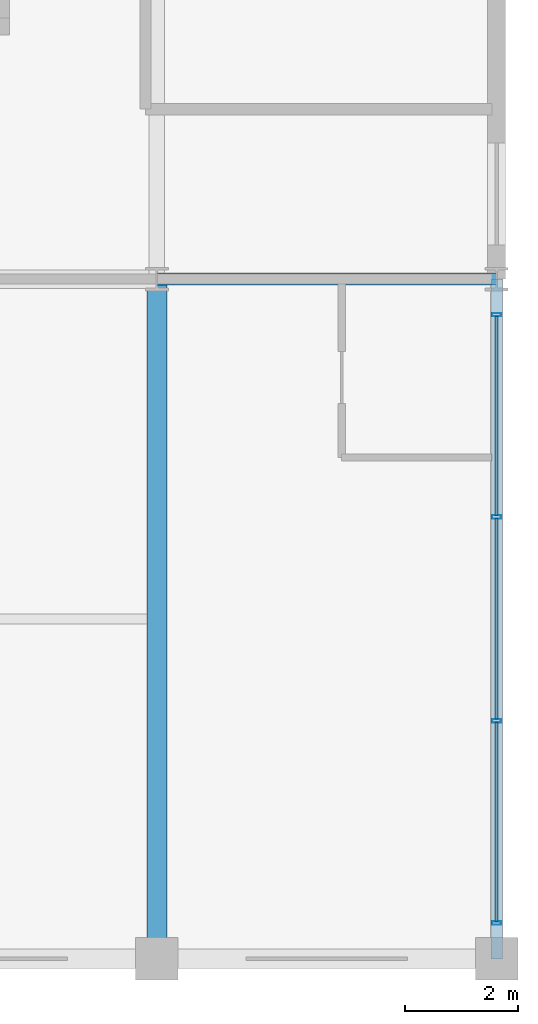
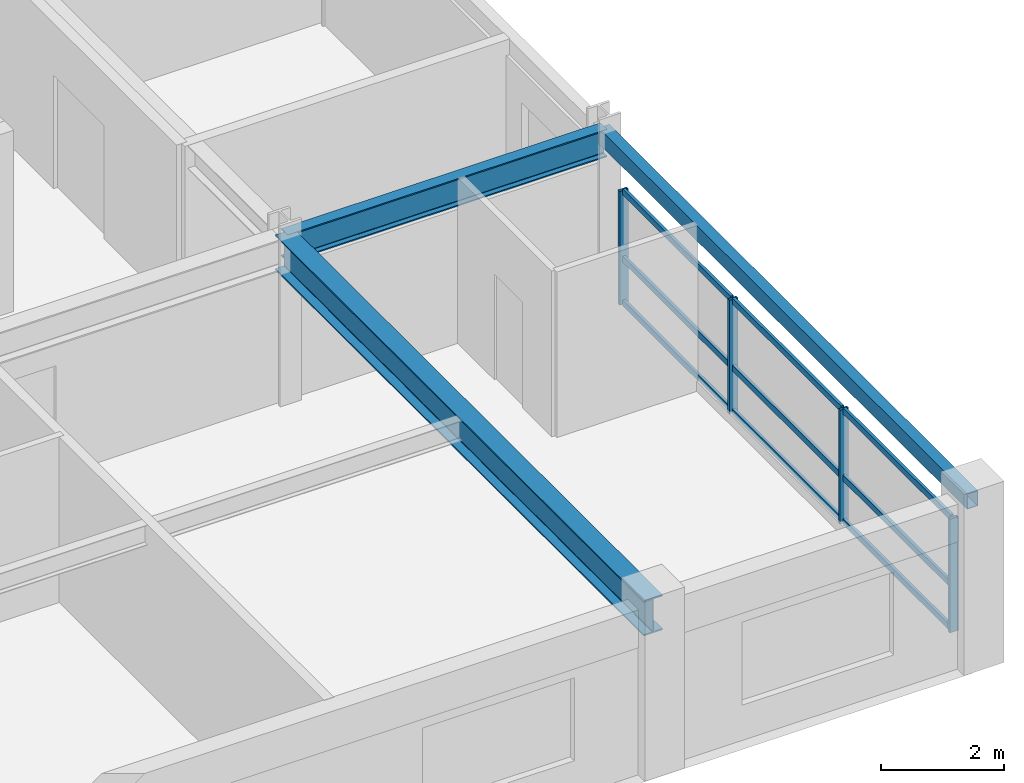
# One storey, part 9 of 20: 13 members, 3 beams, 1 element without a shape of its own.
"""IFC4 building model written with IfcOpenShell, lengths in metres."""

from ifc_helpers import new_model, si_unit, direction, frame, origin, origin_2d, place, context, subcontext, project, spatial, hollow_rectangle, i_section, extrude, material, material_profile, profile_set, type_object, element, aggregate, save


model = new_model("IFC4")

# Units and contexts
model_context = context("Model", 3, precision=1e-05, world=origin(), true_north=direction((0.0, 1.0)))
body_context = subcontext(model_context, "Body", "Model", "MODEL_VIEW")
ifc_project = project(units=[si_unit("LENGTHUNIT", "METRE"), si_unit("AREAUNIT", "SQUARE_METRE"), si_unit("VOLUMEUNIT", "CUBIC_METRE"), si_unit("PLANEANGLEUNIT", "RADIAN"), si_unit("MASSUNIT", "GRAM", prefix="KILO")], contexts=[model_context])

# Site, building, storey
site_placement = place(None, origin())
site = spatial("IfcSite", under=ifc_project, at=site_placement, CompositionType="ELEMENT")
building_placement = place(site_placement, origin())
building = spatial("IfcBuilding", under=site, at=building_placement, Name="Kaldorvane Square Convention Centre", CompositionType="ELEMENT")
storey_placement = place(building_placement, frame((0.0, 0.0, 56.399993896484375)))
storey = spatial("IfcBuildingStorey", under=building, at=storey_placement, Name="L13", CompositionType="ELEMENT", Elevation=56.399993896484375)

# Beams
ifc_material_1 = material(Name="Steel ASTM A992 Gr. 50", Category="steel")
ifc_material_profile_1 = material_profile(ifc_material_1, i_section(OverallWidth=0.213897705078125, OverallDepth=0.549102783203125, WebThickness=0.0146942138671875, FlangeThickness=0.0236053466796875, FilletRadius=0.0126953125, at=origin_2d()), Name="W21X93")
ifc_profile_set_1 = profile_set([ifc_material_profile_1], Name="Steel ASTM A992 Gr. 50")
beam_type_1 = type_object("IfcBeamType", Name="BM-GR-W21X93", PredefinedType="BEAM", material=ifc_profile_set_1)
beam_1_placement = place(storey_placement, frame((78.0, 96.0, 3.011505126953125), z_axis=(1.0, 0.0, 0.0), x_axis=(0.0, 1.0, 0.0)))
element("IfcBeam", 1, at=beam_1_placement, inside=storey, type_object=beam_type_1, Name="Primary Girder (L13)", PredefinedType="BEAM", context=body_context, shape_type="SweptSolid", body=[
    extrude(i_section(OverallWidth=0.213897705078125, OverallDepth=0.549102783203125, WebThickness=0.0146942138671875, FlangeThickness=0.0236053466796875, FilletRadius=0.0126953125, at=origin_2d()), origin(), (0.0, 0.0, 1.0), 6.0),
])
ifc_material_profile_2 = material_profile(ifc_material_1, i_section(OverallWidth=0.354705810546875, OverallDepth=0.69549560546875, WebThickness=0.0153961181640625, FlangeThickness=0.0251007080078125, FilletRadius=0.01519775390625, at=origin_2d()), Name="W27X146")
ifc_profile_set_2 = profile_set([ifc_material_profile_2], Name="Steel ASTM A992 Gr. 50")
beam_type_2 = type_object("IfcBeamType", Name="BM-GR-W27X146", PredefinedType="BEAM", material=ifc_profile_set_2)
beam_2_placement = place(storey_placement, frame((78.0, 84.0, 2.9383087158203125), z_axis=(0.0, 1.0, 0.0), x_axis=(-1.0, 0.0, 0.0)))
element("IfcBeam", 2, at=beam_2_placement, inside=storey, type_object=beam_type_2, Name="Transverse Girder (L13)", PredefinedType="BEAM", context=body_context, shape_type="SweptSolid", body=[
    extrude(i_section(OverallWidth=0.354705810546875, OverallDepth=0.69549560546875, WebThickness=0.0153961181640625, FlangeThickness=0.0251007080078125, FilletRadius=0.01519775390625, at=origin_2d()), origin(), (0.0, 0.0, 1.0), 12.0),
])
ifc_material_2 = material(Name="Steel ASTM A500 Gr. C", Category="steel")
ifc_material_profile_3 = material_profile(ifc_material_2, hollow_rectangle(XDim=0.2032012939453125, YDim=0.3047943115234375, WallThickness=0.0088958740234375, at=origin_2d()), Name="HSS12X8X3/8")
ifc_profile_set_3 = profile_set([ifc_material_profile_3], Name="Steel ASTM A500 Gr. C")
beam_type_3 = type_object("IfcBeamType", Name="BM-SP-HSS12", PredefinedType="SPANDREL", material=ifc_profile_set_3)
beam_3_placement = place(storey_placement, frame((84.0, 84.0, 3.13360595703125), z_axis=(0.0, 1.0, 0.0), x_axis=(-1.0, 0.0, 0.0)))
element("IfcBeam", 3, at=beam_3_placement, inside=storey, type_object=beam_type_3, Name="End Spandrel (L13)", PredefinedType="SPANDREL", context=body_context, shape_type="SweptSolid", body=[
    extrude(hollow_rectangle(XDim=0.2032012939453125, YDim=0.3047943115234375, WallThickness=0.0088958740234375, at=origin_2d()), origin(), (0.0, 0.0, 1.0), 12.0),
])

# Curtain wall, members
ifc_material_3 = material(Name="Anodized Aluminum and Low-E Insulated Glazing", Category="aluminium")
curtain_wall_type = type_object("IfcCurtainWallType", Name="CW-UNI-HTL-A", PredefinedType="USERDEFINED", material=ifc_material_3)
curtain_wall_placement = place(storey_placement, origin())
curtain_wall = element("IfcCurtainWall", 4, at=curtain_wall_placement, inside=storey, type_object=curtain_wall_type, Name="Curtain Wall CW-10 (L13)", ObjectType="UNITISED GLAZING", PredefinedType="USERDEFINED")
ifc_material_profile_4 = material_profile(ifc_material_3, hollow_rectangle(XDim=0.05999755859375, YDim=0.160003662109375, WallThickness=0.003204345703125, at=origin_2d()), Name="CWM-160X60")
ifc_profile_set_4 = profile_set([ifc_material_profile_4], Name="Anodized Aluminum and Low-E Insulated Glazing")
member_type_1 = type_object("IfcMemberType", Name="CW-MUL-160", PredefinedType="MULLION", material=ifc_profile_set_4)
member_1_placement = place(storey_placement, frame((84.0, 84.6300048828125, 0.1500091552734375), z_axis=(0.0, 0.0, 1.0), x_axis=(0.0, 1.0, 0.0)))
member_1 = element("IfcMember", 5, at=member_1_placement, type_object=member_type_1, Name="CW-10 mullion 1", PredefinedType="MULLION", context=body_context, shape_type="SweptSolid", body=[
    extrude(hollow_rectangle(XDim=0.05999755859375, YDim=0.160003662109375, WallThickness=0.003204345703125, at=origin_2d()), origin(), (0.0, 0.0, 1.0), 2.2599945068359375),
])
member_2_placement = place(storey_placement, frame((84.0, 88.19999694824219, 0.1500091552734375), z_axis=(0.0, 0.0, 1.0), x_axis=(0.0, 1.0, 0.0)))
member_2 = element("IfcMember", 6, at=member_2_placement, type_object=member_type_1, Name="CW-10 mullion 2", PredefinedType="MULLION", context=body_context, shape_type="SweptSolid", body=[
    extrude(hollow_rectangle(XDim=0.05999755859375, YDim=0.160003662109375, WallThickness=0.003204345703125, at=origin_2d()), origin(), (0.0, 0.0, 1.0), 2.2599945068359375),
])
member_3_placement = place(storey_placement, frame((84.0, 91.80000305175781, 0.1500091552734375), z_axis=(0.0, 0.0, 1.0), x_axis=(0.0, 1.0, 0.0)))
member_3 = element("IfcMember", 7, at=member_3_placement, type_object=member_type_1, Name="CW-10 mullion 3", PredefinedType="MULLION", context=body_context, shape_type="SweptSolid", body=[
    extrude(hollow_rectangle(XDim=0.05999755859375, YDim=0.160003662109375, WallThickness=0.003204345703125, at=origin_2d()), origin(), (0.0, 0.0, 1.0), 2.2599945068359375),
])
member_4_placement = place(storey_placement, frame((84.0, 95.3699951171875, 0.1500091552734375), z_axis=(0.0, 0.0, 1.0), x_axis=(0.0, 1.0, 0.0)))
member_4 = element("IfcMember", 8, at=member_4_placement, type_object=member_type_1, Name="CW-10 mullion 4", PredefinedType="MULLION", context=body_context, shape_type="SweptSolid", body=[
    extrude(hollow_rectangle(XDim=0.05999755859375, YDim=0.160003662109375, WallThickness=0.003204345703125, at=origin_2d()), origin(), (0.0, 0.0, 1.0), 2.2599945068359375),
])
ifc_material_profile_5 = material_profile(ifc_material_3, hollow_rectangle(XDim=0.05499267578125, YDim=0.1199951171875, WallThickness=0.0030059814453125, at=origin_2d()), Name="CWT-120X55")
ifc_profile_set_5 = profile_set([ifc_material_profile_5], Name="Anodized Aluminum and Low-E Insulated Glazing")
member_type_2 = type_object("IfcMemberType", Name="CW-TRN-120", PredefinedType="USERDEFINED", material=ifc_profile_set_5)
member_5_placement = place(storey_placement, frame((84.0, 84.66000366210938, 0.1775054931640625), z_axis=(0.0, 1.0, 0.0), x_axis=(-1.0, 0.0, 0.0)))
member_5 = element("IfcMember", 9, at=member_5_placement, type_object=member_type_2, Name="CW-10 transom 1.1", ObjectType="TRANSOM", PredefinedType="USERDEFINED", context=body_context, shape_type="SweptSolid", body=[
    extrude(hollow_rectangle(XDim=0.05499267578125, YDim=0.1199951171875, WallThickness=0.0030059814453125, at=origin_2d()), origin(), (0.0, 0.0, 1.0), 3.5099945068359375),
])
member_6_placement = place(storey_placement, frame((84.0, 84.66000366210938, 1.0500030517578125), z_axis=(0.0, 1.0, 0.0), x_axis=(-1.0, 0.0, 0.0)))
member_6 = element("IfcMember", 10, at=member_6_placement, type_object=member_type_2, Name="CW-10 transom 1.2", ObjectType="TRANSOM", PredefinedType="USERDEFINED", context=body_context, shape_type="SweptSolid", body=[
    extrude(hollow_rectangle(XDim=0.05499267578125, YDim=0.1199951171875, WallThickness=0.0030059814453125, at=origin_2d()), origin(), (0.0, 0.0, 1.0), 3.5099945068359375),
])
member_7_placement = place(storey_placement, frame((84.0, 84.66000366210938, 2.38250732421875), z_axis=(0.0, 1.0, 0.0), x_axis=(-1.0, 0.0, 0.0)))
member_7 = element("IfcMember", 11, at=member_7_placement, type_object=member_type_2, Name="CW-10 transom 1.3", ObjectType="TRANSOM", PredefinedType="USERDEFINED", context=body_context, shape_type="SweptSolid", body=[
    extrude(hollow_rectangle(XDim=0.05499267578125, YDim=0.1199951171875, WallThickness=0.0030059814453125, at=origin_2d()), origin(), (0.0, 0.0, 1.0), 3.5099945068359375),
])
member_8_placement = place(storey_placement, frame((84.0, 88.22999572753906, 0.1775054931640625), z_axis=(0.0, 1.0, 0.0), x_axis=(-1.0, 0.0, 0.0)))
member_8 = element("IfcMember", 12, at=member_8_placement, type_object=member_type_2, Name="CW-10 transom 2.1", ObjectType="TRANSOM", PredefinedType="USERDEFINED", context=body_context, shape_type="SweptSolid", body=[
    extrude(hollow_rectangle(XDim=0.05499267578125, YDim=0.1199951171875, WallThickness=0.0030059814453125, at=origin_2d()), origin(), (0.0, 0.0, 1.0), 3.540008544921875),
])
member_9_placement = place(storey_placement, frame((84.0, 88.22999572753906, 1.0500030517578125), z_axis=(0.0, 1.0, 0.0), x_axis=(-1.0, 0.0, 0.0)))
member_9 = element("IfcMember", 13, at=member_9_placement, type_object=member_type_2, Name="CW-10 transom 2.2", ObjectType="TRANSOM", PredefinedType="USERDEFINED", context=body_context, shape_type="SweptSolid", body=[
    extrude(hollow_rectangle(XDim=0.05499267578125, YDim=0.1199951171875, WallThickness=0.0030059814453125, at=origin_2d()), origin(), (0.0, 0.0, 1.0), 3.540008544921875),
])
member_10_placement = place(storey_placement, frame((84.0, 88.22999572753906, 2.38250732421875), z_axis=(0.0, 1.0, 0.0), x_axis=(-1.0, 0.0, 0.0)))
member_10 = element("IfcMember", 14, at=member_10_placement, type_object=member_type_2, Name="CW-10 transom 2.3", ObjectType="TRANSOM", PredefinedType="USERDEFINED", context=body_context, shape_type="SweptSolid", body=[
    extrude(hollow_rectangle(XDim=0.05499267578125, YDim=0.1199951171875, WallThickness=0.0030059814453125, at=origin_2d()), origin(), (0.0, 0.0, 1.0), 3.540008544921875),
])
member_11_placement = place(storey_placement, frame((84.0, 91.83000183105469, 0.1775054931640625), z_axis=(0.0, 1.0, 0.0), x_axis=(-1.0, 0.0, 0.0)))
member_11 = element("IfcMember", 15, at=member_11_placement, type_object=member_type_2, Name="CW-10 transom 3.1", ObjectType="TRANSOM", PredefinedType="USERDEFINED", context=body_context, shape_type="SweptSolid", body=[
    extrude(hollow_rectangle(XDim=0.05499267578125, YDim=0.1199951171875, WallThickness=0.0030059814453125, at=origin_2d()), origin(), (0.0, 0.0, 1.0), 3.5099945068359375),
])
member_12_placement = place(storey_placement, frame((84.0, 91.83000183105469, 1.0500030517578125), z_axis=(0.0, 1.0, 0.0), x_axis=(-1.0, 0.0, 0.0)))
member_12 = element("IfcMember", 16, at=member_12_placement, type_object=member_type_2, Name="CW-10 transom 3.2", ObjectType="TRANSOM", PredefinedType="USERDEFINED", context=body_context, shape_type="SweptSolid", body=[
    extrude(hollow_rectangle(XDim=0.05499267578125, YDim=0.1199951171875, WallThickness=0.0030059814453125, at=origin_2d()), origin(), (0.0, 0.0, 1.0), 3.5099945068359375),
])
member_13_placement = place(storey_placement, frame((84.0, 91.83000183105469, 2.38250732421875), z_axis=(0.0, 1.0, 0.0), x_axis=(-1.0, 0.0, 0.0)))
member_13 = element("IfcMember", 17, at=member_13_placement, type_object=member_type_2, Name="CW-10 transom 3.3", ObjectType="TRANSOM", PredefinedType="USERDEFINED", context=body_context, shape_type="SweptSolid", body=[
    extrude(hollow_rectangle(XDim=0.05499267578125, YDim=0.1199951171875, WallThickness=0.0030059814453125, at=origin_2d()), origin(), (0.0, 0.0, 1.0), 3.5099945068359375),
])
aggregate(curtain_wall, [member_1, member_2, member_3, member_4, member_5, member_6, member_7, member_8, member_9, member_10, member_11, member_12, member_13])

save(model, "model.ifc")
